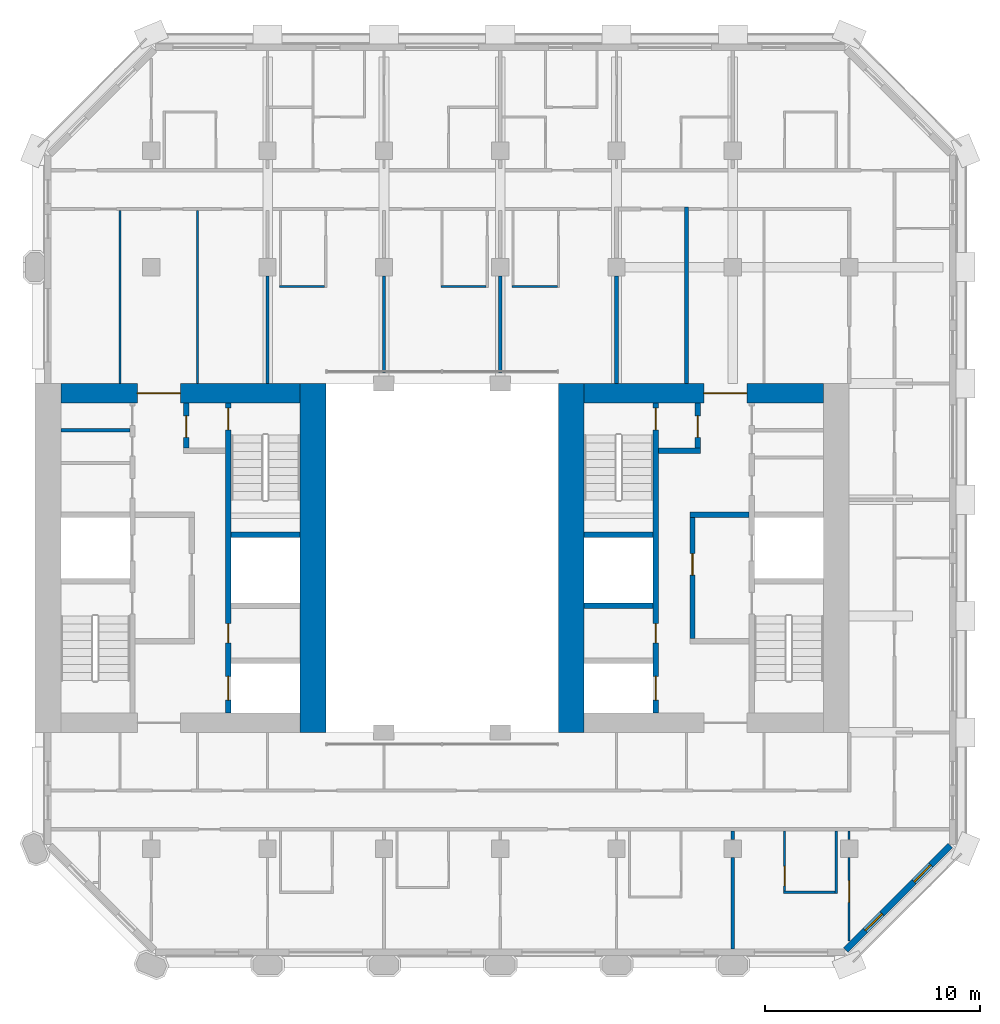
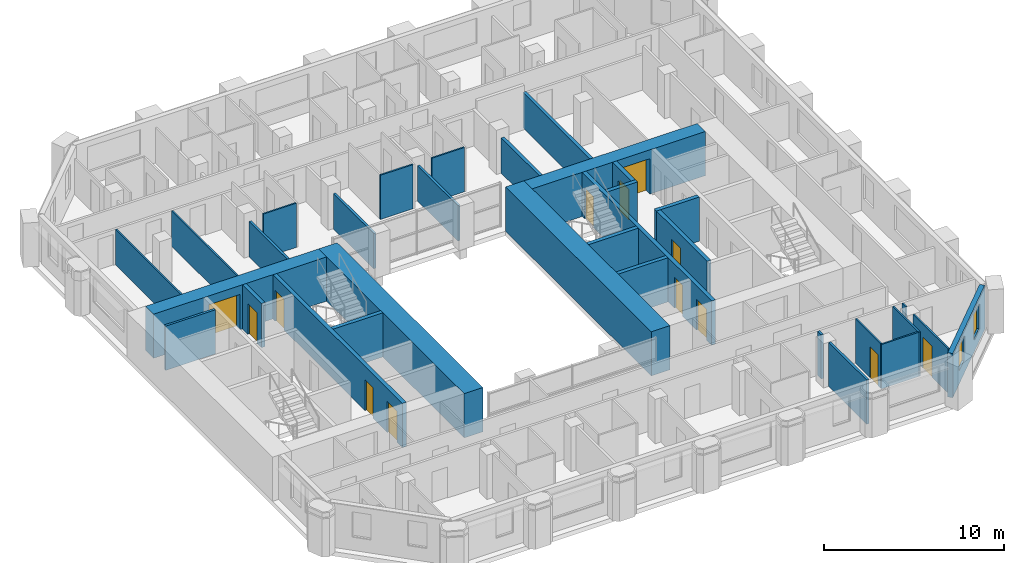
# One storey, part 6 of 13: 33 walls, 13 doors, 2 windows, 15 openings.
"""IFC4 building model written with IfcOpenShell, lengths in metres."""

from ifc_helpers import new_model, si_unit, direction, frame, frame_2d, origin, place, context, subcontext, project, spatial, rectangle, extrude, material, layer, layer_set, type_object, element, fill, save


model = new_model("IFC4")

# Units and contexts
model_context = context("Model", 3, precision=1e-05, world=origin(), true_north=direction((0.0, 1.0)))
body_context = subcontext(model_context, "Body", "Model", "MODEL_VIEW")
ifc_project = project(units=[si_unit("LENGTHUNIT", "METRE"), si_unit("AREAUNIT", "SQUARE_METRE"), si_unit("VOLUMEUNIT", "CUBIC_METRE"), si_unit("PLANEANGLEUNIT", "RADIAN"), si_unit("MASSUNIT", "GRAM", prefix="KILO")], contexts=[model_context])

# Site, building, storey
site_placement = place(None, origin())
site = spatial("IfcSite", under=ifc_project, at=site_placement, CompositionType="ELEMENT")
building_placement = place(site_placement, origin())
building = spatial("IfcBuilding", under=site, at=building_placement, Name="Tabaq Tower and Sports Hall", CompositionType="ELEMENT")
storey_placement = place(building_placement, frame((0.0, 0.0, 203.800048828125)))
storey = spatial("IfcBuildingStorey", under=building, at=storey_placement, Name="L50", CompositionType="ELEMENT", Elevation=203.800048828125)

# Walls
ifc_material_1 = material(Name="Blockwork", Category="masonry")
ifc_layer_1 = layer(ifc_material_1, 0.14990234375)
ifc_layer_set_1 = layer_set([ifc_layer_1], Name="Core room partition 150 Blockwork")
wall_type_1 = type_object("IfcWallType", Name="Core room partition 150 Blockwork", PredefinedType="PARTITIONING", material=ifc_layer_set_1)
wall_1_placement = place(storey_placement, frame((6.60009765625, 30.23193359375, 0.0), z_axis=(0.0, 0.0, 1.0), x_axis=(1.0, 0.0, 0.0)))
element("IfcWall", 1, at=wall_1_placement, inside=storey, type_object=wall_type_1, Name="Core room partition W L50", PredefinedType="PARTITIONING", context=body_context, shape_type="SweptSolid", body=[
    extrude(rectangle(XDim=3.199951171875, YDim=0.14990234375, at=frame_2d((1.60009765625, 0.0))), origin(), (0.0, 0.0, 1.0), 3.0),
])
ifc_material_2 = material(Name="Concrete C50/60", Category="concrete")
ifc_layer_2 = layer(ifc_material_2, 1.199951171875)
ifc_layer_set_2 = layer_set([ifc_layer_2], Name="Core wall 1200 Concrete C50/60")
wall_type_2 = type_object("IfcWallType", Name="Core wall 1200 Concrete C50/60", PredefinedType="SOLIDWALL", material=ifc_layer_set_2)
for number, where, z_axis, x_axis, name in (
    (2, (18.300048828125, 32.39990234375, 0.0), (0.0, 0.0, 1.0), (0.0, -1.0, 0.0), "Core wall W L50"),
    (3, (30.300048828125, 16.199951171875, 0.0), (0.0, 0.0, 1.0), (0.0, 1.0, 0.0), "Core wall E L50"),
):
    element("IfcWall", number, at=place(storey_placement, frame(where, z_axis=z_axis, x_axis=x_axis)), inside=storey, type_object=wall_type_2, Name=name, PredefinedType="SOLIDWALL", context=body_context, shape_type="SweptSolid", body=[
        extrude(rectangle(XDim=16.199951171875, YDim=1.199951171875, at=frame_2d((8.10009765625, 0.0))), origin(), (0.0, 0.0, 1.0), 3.0),
    ])

# Wall, opening, door
ifc_material_3 = material(Name="Concrete C50/60", Category="concrete")
ifc_layer_3 = layer(ifc_material_3, 0.89990234375)
ifc_layer_set_3 = layer_set([ifc_layer_3], Name="Core wall 900 Concrete C50/60")
wall_type_3 = type_object("IfcWallType", Name="Core wall 900 Concrete C50/60", PredefinedType="SOLIDWALL", material=ifc_layer_set_3)
wall_2_placement = place(storey_placement, frame((6.60009765625, 31.949951171875, 0.0), z_axis=(0.0, 0.0, 1.0), x_axis=(1.0, 0.0, 0.0)))
wall_2 = element("IfcWall", 4, at=wall_2_placement, inside=storey, type_object=wall_type_3, Name="Core wall W L50", PredefinedType="SOLIDWALL", context=body_context, shape_type="SweptSolid", body=[
    extrude(rectangle(XDim=11.099853515625, YDim=0.89990234375, at=frame_2d((5.5498046875, 0.0))), origin(), (0.0, 0.0, 1.0), 3.0),
])
opening_1_placement = place(wall_2_placement, frame((3.550048828125, 0.0, 0.0)))
opening_1 = element("IfcOpeningElement", 5, at=opening_1_placement, cuts=wall_2, Name="Opening PD-WL50-02", PredefinedType="OPENING", context=body_context, shape_type="SweptSolid", body=[
    extrude(rectangle(XDim=2.0, YDim=2.39990234375, at=frame_2d((1.0, 1.199951171875))), frame((0.0, 0.449951171875, 0.0), z_axis=(0.0, -1.0, 0.0), x_axis=(1.0, 0.0, 0.0)), (0.0, 0.0, 1.0), 0.89990234375),
])
ifc_material_4 = material(Name="Steel fire door", Category="steel")
door_type_1 = type_object("IfcDoorType", Name="Core entrance door 2000", OperationType="DOUBLE_DOOR_SINGLE_SWING", PredefinedType="DOOR", material=ifc_material_4)
door_1_placement = place(opening_1_placement, origin())
door_1 = element("IfcDoor", 6, at=door_1_placement, inside=storey, type_object=door_type_1, Name="Core entrance north W L50", OperationType="DOUBLE_DOOR_SINGLE_SWING", OverallHeight=2.39990234375, OverallWidth=2.0, PredefinedType="DOOR", context=body_context, shape_type="SweptSolid", body=[
    extrude(rectangle(XDim=2.0, YDim=2.39990234375, at=frame_2d((1.0, 1.199951171875))), frame((0.0, 0.02490234375, 0.0), z_axis=(0.0, -1.0, 0.0), x_axis=(1.0, 0.0, 0.0)), (0.0, 0.0, 1.0), 0.050048828125),
])
fill(opening_1, door_1)

wall_3_placement = place(storey_placement, frame((30.89990234375, 31.949951171875, 0.0), z_axis=(0.0, 0.0, 1.0), x_axis=(1.0, 0.0, 0.0)))
wall_3 = element("IfcWall", 7, at=wall_3_placement, inside=storey, type_object=wall_type_3, Name="Core wall E L50", PredefinedType="SOLIDWALL", context=body_context, shape_type="SweptSolid", body=[
    extrude(rectangle(XDim=11.10009765625, YDim=0.89990234375, at=frame_2d((5.550048828125, 0.0))), origin(), (0.0, 0.0, 1.0), 3.0),
])
opening_2_placement = place(wall_3_placement, frame((5.550048828125, 0.0, 0.0)))
opening_2 = element("IfcOpeningElement", 8, at=opening_2_placement, cuts=wall_3, Name="Opening PD-EL50-02", PredefinedType="OPENING", context=body_context, shape_type="SweptSolid", body=[
    extrude(rectangle(XDim=2.0, YDim=2.39990234375, at=frame_2d((1.0, 1.199951171875))), frame((0.0, 0.449951171875, 0.0), z_axis=(0.0, -1.0, 0.0), x_axis=(1.0, 0.0, 0.0)), (0.0, 0.0, 1.0), 0.89990234375),
])
door_2_placement = place(opening_2_placement, origin())
door_2 = element("IfcDoor", 9, at=door_2_placement, inside=storey, type_object=door_type_1, Name="Core entrance north E L50", OperationType="DOUBLE_DOOR_SINGLE_SWING", OverallHeight=2.39990234375, OverallWidth=2.0, PredefinedType="DOOR", context=body_context, shape_type="SweptSolid", body=[
    extrude(rectangle(XDim=2.0, YDim=2.39990234375, at=frame_2d((1.0, 1.199951171875))), frame((0.0, 0.02490234375, 0.0), z_axis=(0.0, -1.0, 0.0), x_axis=(1.0, 0.0, 0.0)), (0.0, 0.0, 1.0), 0.050048828125),
])
fill(opening_2, door_2)

# Walls
ifc_material_5 = material(Name="Blockwork", Category="masonry")
ifc_layer_4 = layer(ifc_material_5, 0.199951171875)
ifc_layer_set_4 = layer_set([ifc_layer_4], Name="Fire compartment wall 200 Blockwork")
wall_type_4 = type_object("IfcWallType", Name="Fire compartment wall 200 Blockwork", PredefinedType="PARTITIONING", material=ifc_layer_set_4)
wall_4_placement = place(storey_placement, frame((32.39990234375, 32.39990234375, 0.0), z_axis=(0.0, 0.0, 1.0), x_axis=(0.0, 1.0, 0.0)))
element("IfcWall", 10, at=wall_4_placement, inside=storey, type_object=wall_type_4, Name="Compartment wall L50", PredefinedType="PARTITIONING", context=body_context, shape_type="SweptSolid", body=[
    extrude(rectangle(XDim=4.97998046875, YDim=0.199951171875, at=frame_2d((2.489990234375, 0.0))), origin(), (0.0, 0.0, 1.0), 2.39990234375),
])
wall_5_placement = place(storey_placement, frame((35.64990234375, 40.60009765625, 0.0), z_axis=(0.0, 0.0, 1.0), x_axis=(0.0, -1.0, 0.0)))
element("IfcWall", 11, at=wall_5_placement, inside=storey, type_object=wall_type_4, Name="Compartment wall L50", PredefinedType="PARTITIONING", context=body_context, shape_type="SweptSolid", body=[
    extrude(rectangle(XDim=8.2001953125, YDim=0.199951171875, at=frame_2d((4.10009765625, 0.0))), origin(), (0.0, 0.0, 1.0), 2.39990234375),
])
ifc_material_6 = material(Name="Gypsum board on steel studs", Category="steel")
ifc_layer_5 = layer(ifc_material_6, 0.10009765625)
ifc_layer_set_5 = layer_set([ifc_layer_5], Name="Partition 100 Gypsum board")
wall_type_5 = type_object("IfcWallType", Name="Partition 100 Gypsum board", PredefinedType="PARTITIONING", material=ifc_layer_set_5)
for number, where, z_axis, x_axis, name in (
    (12, (18.85009765625, 36.89990234375, 0.0), (0.0, 0.0, 1.0), (-1.0, 0.0, 0.0), "Partition wall L50"),
    (13, (26.35009765625, 36.89990234375, 0.0), (0.0, 0.0, 1.0), (-1.0, 0.0, 0.0), "Partition wall L50"),
):
    element("IfcWall", number, at=place(storey_placement, frame(where, z_axis=z_axis, x_axis=x_axis)), inside=storey, type_object=wall_type_5, Name=name, PredefinedType="PARTITIONING", context=body_context, shape_type="SweptSolid", body=[
        extrude(rectangle(XDim=2.10009765625, YDim=0.10009765625, at=frame_2d((1.050048828125, 0.0))), origin(), (0.0, 0.0, 1.0), 3.0),
    ])
wall_6_placement = place(storey_placement, frame((29.64990234375, 36.89990234375, 0.0), z_axis=(0.0, 0.0, 1.0), x_axis=(-1.0, 0.0, 0.0)))
element("IfcWall", 14, at=wall_6_placement, inside=storey, type_object=wall_type_5, Name="Partition wall L50", PredefinedType="PARTITIONING", context=body_context, shape_type="SweptSolid", body=[
    extrude(rectangle(XDim=2.099853515625, YDim=0.10009765625, at=frame_2d((1.0498046875, 0.0))), origin(), (0.0, 0.0, 1.0), 3.0),
])
for number, where, z_axis, x_axis, name in (
    (15, (9.35009765625, 40.425048828125, 0.0), (0.0, 0.0, 1.0), (0.0, -1.0, 0.0), "Partition wall L50"),
    (16, (12.949951171875, 32.39990234375, 0.0), (0.0, 0.0, 1.0), (0.0, 1.0, 0.0), "Partition wall L50"),
):
    element("IfcWall", number, at=place(storey_placement, frame(where, z_axis=z_axis, x_axis=x_axis)), inside=storey, type_object=wall_type_5, Name=name, PredefinedType="PARTITIONING", context=body_context, shape_type="SweptSolid", body=[
        extrude(rectangle(XDim=8.025146484375, YDim=0.10009765625, at=frame_2d((4.0126953125, 0.0))), origin(), (0.0, 0.0, 1.0), 2.39990234375),
    ])

# Wall, opening, door
wall_7_placement = place(storey_placement, frame((43.199951171875, 6.51220703125, 0.0), z_axis=(0.0, 0.0, 1.0), x_axis=(0.0, 1.0, 0.0)))
wall_7 = element("IfcWall", 17, at=wall_7_placement, inside=storey, type_object=wall_type_5, Name="Partition wall L50", PredefinedType="PARTITIONING", context=body_context, shape_type="SweptSolid", body=[
    extrude(rectangle(XDim=3.86767578125, YDim=0.10009765625, at=frame_2d((1.933837890625, 0.0))), origin(), (0.0, 0.0, 1.0), 3.0),
])
opening_3_placement = place(wall_7_placement, frame((1.80029296875, 0.0, 0.0)))
opening_3 = element("IfcOpeningElement", 18, at=opening_3_placement, cuts=wall_7, Name="Opening L50-047", PredefinedType="OPENING", context=body_context, shape_type="SweptSolid", body=[
    extrude(rectangle(XDim=1.0, YDim=2.10009765625, at=frame_2d((0.5, 1.050048828125))), frame((0.0, 0.050048828125, 0.0), z_axis=(0.0, -1.0, 0.0), x_axis=(1.0, 0.0, 0.0)), (0.0, 0.0, 1.0), 0.10009765625),
])
ifc_material_7 = material(Name="Timber leaf in steel frame", Category="steel")
door_type_2 = type_object("IfcDoorType", Name="Internal door 1000 right hand", OperationType="SINGLE_SWING_RIGHT", PredefinedType="DOOR", material=ifc_material_7)
door_3_placement = place(opening_3_placement, origin())
door_3 = element("IfcDoor", 19, at=door_3_placement, inside=storey, type_object=door_type_2, Name="Internal door L50-047", OperationType="SINGLE_SWING_RIGHT", OverallHeight=2.10009765625, OverallWidth=1.0, PredefinedType="DOOR", context=body_context, shape_type="SweptSolid", body=[
    extrude(rectangle(XDim=1.0, YDim=2.10009765625, at=frame_2d((0.5, 1.050048828125))), frame((0.0, 0.02490234375, 0.0), z_axis=(0.0, -1.0, 0.0), x_axis=(1.0, 0.0, 0.0)), (0.0, 0.0, 1.0), 0.050048828125),
])
fill(opening_3, door_3)

# Walls
wall_8_placement = place(storey_placement, frame((43.199951171875, 11.219970703125, 0.0), z_axis=(0.0, 0.0, 1.0), x_axis=(0.0, 1.0, 0.0)))
element("IfcWall", 20, at=wall_8_placement, inside=storey, type_object=wall_type_5, Name="Partition wall L50", PredefinedType="PARTITIONING", context=body_context, shape_type="SweptSolid", body=[
    extrude(rectangle(XDim=0.405029296875, YDim=0.10009765625, at=frame_2d((0.20263671875, 0.0))), origin(), (0.0, 0.0, 1.0), 3.0),
])
wall_9_placement = place(storey_placement, frame((42.60009765625, 11.625, 0.0), z_axis=(0.0, 0.0, 1.0), x_axis=(0.0, -1.0, 0.0)))
element("IfcWall", 21, at=wall_9_placement, inside=storey, type_object=wall_type_5, Name="Partition wall L50", PredefinedType="PARTITIONING", context=body_context, shape_type="SweptSolid", body=[
    extrude(rectangle(XDim=2.89990234375, YDim=0.10009765625, at=frame_2d((1.449951171875, 0.0))), origin(), (0.0, 0.0, 1.0), 3.0),
])
wall_10_placement = place(storey_placement, frame((42.550048828125, 8.77490234375, 0.0), z_axis=(0.0, 0.0, 1.0), x_axis=(-1.0, 0.0, 0.0)))
element("IfcWall", 22, at=wall_10_placement, inside=storey, type_object=wall_type_5, Name="Partition wall L50", PredefinedType="PARTITIONING", context=body_context, shape_type="SweptSolid", body=[
    extrude(rectangle(XDim=2.400146484375, YDim=0.10009765625, at=frame_2d((1.2001953125, 0.0))), origin(), (0.0, 0.0, 1.0), 3.0),
])

# Wall, opening, door
wall_11_placement = place(storey_placement, frame((40.199951171875, 8.824951171875, 0.0), z_axis=(0.0, 0.0, 1.0), x_axis=(0.0, 1.0, 0.0)))
wall_11 = element("IfcWall", 23, at=wall_11_placement, inside=storey, type_object=wall_type_5, Name="Partition wall L50", PredefinedType="PARTITIONING", context=body_context, shape_type="SweptSolid", body=[
    extrude(rectangle(XDim=2.800048828125, YDim=0.10009765625, at=frame_2d((1.39990234375, 0.0))), origin(), (0.0, 0.0, 1.0), 3.0),
])
opening_4_placement = place(wall_11_placement, frame((0.25, 0.0, 0.0)))
opening_4 = element("IfcOpeningElement", 24, at=opening_4_placement, cuts=wall_11, Name="Opening L50-023", PredefinedType="OPENING", context=body_context, shape_type="SweptSolid", body=[
    extrude(rectangle(XDim=0.89990234375, YDim=2.10009765625, at=frame_2d((0.449951171875, 1.050048828125))), frame((0.0, 0.050048828125, 0.0), z_axis=(0.0, -1.0, 0.0), x_axis=(1.0, 0.0, 0.0)), (0.0, 0.0, 1.0), 0.10009765625),
])
ifc_material_8 = material(Name="Timber leaf in steel frame", Category="steel")
door_type_3 = type_object("IfcDoorType", Name="Internal door 900 right hand", OperationType="SINGLE_SWING_RIGHT", PredefinedType="DOOR", material=ifc_material_8)
door_4_placement = place(opening_4_placement, origin())
door_4 = element("IfcDoor", 25, at=door_4_placement, inside=storey, type_object=door_type_3, Name="Internal door L50-023", OperationType="SINGLE_SWING_RIGHT", OverallHeight=2.10009765625, OverallWidth=0.89990234375, PredefinedType="DOOR", context=body_context, shape_type="SweptSolid", body=[
    extrude(rectangle(XDim=0.89990234375, YDim=2.10009765625, at=frame_2d((0.449951171875, 1.050048828125))), frame((0.0, 0.02490234375, 0.0), z_axis=(0.0, -1.0, 0.0), x_axis=(1.0, 0.0, 0.0)), (0.0, 0.0, 1.0), 0.050048828125),
])
fill(opening_4, door_4)

# Walls
ifc_material_9 = material(Name="Blockwork", Category="masonry")
ifc_layer_6 = layer(ifc_material_9, 0.14990234375)
ifc_layer_set_6 = layer_set([ifc_layer_6], Name="Separating wall 150 Blockwork")
wall_type_6 = type_object("IfcWallType", Name="Separating wall 150 Blockwork", PredefinedType="PARTITIONING", material=ifc_layer_set_6)
wall_12_placement = place(storey_placement, frame((21.60009765625, 32.89501953125, 0.0), z_axis=(0.0, 0.0, 1.0), x_axis=(0.0, 1.0, 0.0)))
element("IfcWall", 26, at=wall_12_placement, inside=storey, type_object=wall_type_6, Name="Separating wall L50", PredefinedType="PARTITIONING", context=body_context, shape_type="SweptSolid", body=[
    extrude(rectangle(XDim=4.48486328125, YDim=0.14990234375, at=frame_2d((2.242431640625, 0.0))), origin(), (0.0, 0.0, 1.0), 2.39990234375),
])
wall_13_placement = place(storey_placement, frame((16.199951171875, 37.3798828125, 0.0), z_axis=(0.0, 0.0, 1.0), x_axis=(0.0, -1.0, 0.0)))
element("IfcWall", 27, at=wall_13_placement, inside=storey, type_object=wall_type_6, Name="Separating wall L50", PredefinedType="PARTITIONING", context=body_context, shape_type="SweptSolid", body=[
    extrude(rectangle(XDim=4.97998046875, YDim=0.14990234375, at=frame_2d((2.489990234375, 0.0))), origin(), (0.0, 0.0, 1.0), 2.39990234375),
])
wall_14_placement = place(storey_placement, frame((27.0, 32.89501953125, 0.0), z_axis=(0.0, 0.0, 1.0), x_axis=(0.0, 1.0, 0.0)))
element("IfcWall", 28, at=wall_14_placement, inside=storey, type_object=wall_type_6, Name="Separating wall L50", PredefinedType="PARTITIONING", context=body_context, shape_type="SweptSolid", body=[
    extrude(rectangle(XDim=4.48486328125, YDim=0.14990234375, at=frame_2d((2.242431640625, 0.0))), origin(), (0.0, 0.0, 1.0), 2.39990234375),
])
wall_15_placement = place(storey_placement, frame((37.800048828125, 6.15087890625, 0.0), z_axis=(0.0, 0.0, 1.0), x_axis=(0.0, 1.0, 0.0)))
element("IfcWall", 29, at=wall_15_placement, inside=storey, type_object=wall_type_6, Name="Separating wall L50", PredefinedType="PARTITIONING", context=body_context, shape_type="SweptSolid", body=[
    extrude(rectangle(XDim=4.22900390625, YDim=0.14990234375, at=frame_2d((2.114501953125, 0.0))), origin(), (0.0, 0.0, 1.0), 3.0),
])
wall_16_placement = place(storey_placement, frame((37.800048828125, 11.219970703125, 0.0), z_axis=(0.0, 0.0, 1.0), x_axis=(0.0, 1.0, 0.0)))
element("IfcWall", 30, at=wall_16_placement, inside=storey, type_object=wall_type_6, Name="Separating wall L50", PredefinedType="PARTITIONING", context=body_context, shape_type="SweptSolid", body=[
    extrude(rectangle(XDim=0.405029296875, YDim=0.14990234375, at=frame_2d((0.20263671875, 0.0))), origin(), (0.0, 0.0, 1.0), 3.0),
])

# Wall, openings, doors
ifc_material_10 = material(Name="Concrete C40/50", Category="concrete")
ifc_layer_7 = layer(ifc_material_10, 0.25)
ifc_layer_set_7 = layer_set([ifc_layer_7], Name="Shaft and stair wall 250 Concrete C40/50")
wall_type_7 = type_object("IfcWallType", Name="Shaft and stair wall 250 Concrete C40/50", PredefinedType="SOLIDWALL", material=ifc_layer_set_7)
wall_17_placement = place(storey_placement, frame((14.375, 17.10009765625, 0.0), z_axis=(0.0, 0.0, 1.0), x_axis=(0.0, 1.0, 0.0)))
wall_17 = element("IfcWall", 31, at=wall_17_placement, inside=storey, type_object=wall_type_7, Name="Shaft wall W L50", PredefinedType="SOLIDWALL", context=body_context, shape_type="SweptSolid", body=[
    extrude(rectangle(XDim=14.39990234375, YDim=0.25, at=frame_2d((7.199951171875, 0.0))), origin(), (0.0, 0.0, 1.0), 3.0),
])
opening_5_placement = place(wall_17_placement, frame((13.14990234375, 0.0, 0.0)))
opening_5 = element("IfcOpeningElement", 32, at=opening_5_placement, cuts=wall_17, Name="Opening SD-WL50-05", PredefinedType="OPENING", context=body_context, shape_type="SweptSolid", body=[
    extrude(rectangle(XDim=1.0, YDim=2.10009765625, at=frame_2d((0.5, 1.050048828125))), frame((0.0, 0.125, 0.0), z_axis=(0.0, -1.0, 0.0), x_axis=(1.0, 0.0, 0.0)), (0.0, 0.0, 1.0), 0.25),
])
opening_6_placement = place(wall_17_placement, frame((0.60009765625, 0.0, 0.0)))
opening_6 = element("IfcOpeningElement", 33, at=opening_6_placement, cuts=wall_17, Name="Opening LD-MR1-L50", PredefinedType="OPENING", context=body_context, shape_type="SweptSolid", body=[
    extrude(rectangle(XDim=1.10009765625, YDim=2.10009765625, at=frame_2d((0.550048828125, 1.050048828125))), frame((0.0, 0.125, 0.0), z_axis=(0.0, -1.0, 0.0), x_axis=(1.0, 0.0, 0.0)), (0.0, 0.0, 1.0), 0.25),
])
opening_7_placement = place(wall_17_placement, frame((3.25, 0.0, 0.0)))
opening_7 = element("IfcOpeningElement", 34, at=opening_7_placement, cuts=wall_17, Name="Opening RD-WL50-12", PredefinedType="OPENING", context=body_context, shape_type="SweptSolid", body=[
    extrude(rectangle(XDim=0.89990234375, YDim=2.10009765625, at=frame_2d((0.449951171875, 1.050048828125))), frame((0.0, 0.125, 0.0), z_axis=(0.0, -1.0, 0.0), x_axis=(1.0, 0.0, 0.0)), (0.0, 0.0, 1.0), 0.25),
])
ifc_material_11 = material(Name="Steel fire door", Category="steel")
door_type_4 = type_object("IfcDoorType", Name="Core room door 900", OperationType="SINGLE_SWING_LEFT", PredefinedType="DOOR", material=ifc_material_11)
door_5_placement = place(opening_7_placement, origin())
door_5 = element("IfcDoor", 35, at=door_5_placement, inside=storey, type_object=door_type_4, Name="Door Cleaner's Store W L50", OperationType="SINGLE_SWING_LEFT", OverallHeight=2.10009765625, OverallWidth=0.89990234375, PredefinedType="DOOR", context=body_context, shape_type="SweptSolid", body=[
    extrude(rectangle(XDim=0.89990234375, YDim=2.10009765625, at=frame_2d((0.449951171875, 1.050048828125))), frame((0.0, 0.02490234375, 0.0), z_axis=(0.0, -1.0, 0.0), x_axis=(1.0, 0.0, 0.0)), (0.0, 0.0, 1.0), 0.050048828125),
])
fill(opening_7, door_5)
ifc_material_12 = material(Name="Stainless steel", Category="steel")
door_type_5 = type_object("IfcDoorType", Name="Lift landing door 1100", OperationType="DOUBLE_DOOR_SLIDING", PredefinedType="DOOR", material=ifc_material_12)
door_6_placement = place(opening_6_placement, origin())
door_6 = element("IfcDoor", 36, at=door_6_placement, inside=storey, type_object=door_type_5, Name="Lift landing door MR1 W L50", OperationType="DOUBLE_DOOR_SLIDING", OverallHeight=2.10009765625, OverallWidth=1.10009765625, PredefinedType="DOOR", context=body_context, shape_type="SweptSolid", body=[
    extrude(rectangle(XDim=1.10009765625, YDim=2.10009765625, at=frame_2d((0.550048828125, 1.050048828125))), frame((0.0, 0.02490234375, 0.0), z_axis=(0.0, -1.0, 0.0), x_axis=(1.0, 0.0, 0.0)), (0.0, 0.0, 1.0), 0.050048828125),
])
fill(opening_6, door_6)
ifc_material_13 = material(Name="Steel fire door", Category="steel")
door_type_6 = type_object("IfcDoorType", Name="Stair door 1000", OperationType="SINGLE_SWING_LEFT", PredefinedType="DOOR", material=ifc_material_13)
door_7_placement = place(opening_5_placement, origin())
door_7 = element("IfcDoor", 37, at=door_7_placement, inside=storey, type_object=door_type_6, Name="Stair door ST2 W L50", OperationType="SINGLE_SWING_LEFT", OverallHeight=2.10009765625, OverallWidth=1.0, PredefinedType="DOOR", context=body_context, shape_type="SweptSolid", body=[
    extrude(rectangle(XDim=1.0, YDim=2.10009765625, at=frame_2d((0.5, 1.050048828125))), frame((0.0, 0.02490234375, 0.0), z_axis=(0.0, -1.0, 0.0), x_axis=(1.0, 0.0, 0.0)), (0.0, 0.0, 1.0), 0.050048828125),
])
fill(opening_5, door_7)

# Wall
wall_18_placement = place(storey_placement, frame((14.5, 25.375, 0.0), z_axis=(0.0, 0.0, 1.0), x_axis=(1.0, 0.0, 0.0)))
element("IfcWall", 38, at=wall_18_placement, inside=storey, type_object=wall_type_7, Name="Stair enclosure wall W L50", PredefinedType="SOLIDWALL", context=body_context, shape_type="SweptSolid", body=[
    extrude(rectangle(XDim=3.199951171875, YDim=0.25, at=frame_2d((1.60009765625, 0.0))), origin(), (0.0, 0.0, 1.0), 3.0),
])

# Wall, opening, door
wall_19_placement = place(storey_placement, frame((12.425048828125, 29.39990234375, 0.0), z_axis=(0.0, 0.0, 1.0), x_axis=(0.0, 1.0, 0.0)))
wall_19 = element("IfcWall", 39, at=wall_19_placement, inside=storey, type_object=wall_type_7, Name="Fire-fighting lobby wall W L50", PredefinedType="SOLIDWALL", context=body_context, shape_type="SweptSolid", body=[
    extrude(rectangle(XDim=2.10009765625, YDim=0.25, at=frame_2d((1.050048828125, 0.0))), origin(), (0.0, 0.0, 1.0), 3.0),
])
opening_8_placement = place(wall_19_placement, frame((0.5, 0.0, 0.0)))
opening_8 = element("IfcOpeningElement", 40, at=opening_8_placement, cuts=wall_19, Name="Opening FD-WL50-06", PredefinedType="OPENING", context=body_context, shape_type="SweptSolid", body=[
    extrude(rectangle(XDim=1.0, YDim=2.10009765625, at=frame_2d((0.5, 1.050048828125))), frame((0.0, 0.125, 0.0), z_axis=(0.0, -1.0, 0.0), x_axis=(1.0, 0.0, 0.0)), (0.0, 0.0, 1.0), 0.25),
])
ifc_material_14 = material(Name="Steel fire door", Category="steel")
door_type_7 = type_object("IfcDoorType", Name="Fire-fighting lobby door 1000", OperationType="SINGLE_SWING_LEFT", PredefinedType="DOOR", material=ifc_material_14)
door_8_placement = place(opening_8_placement, origin())
door_8 = element("IfcDoor", 41, at=door_8_placement, inside=storey, type_object=door_type_7, Name="Stair lobby door W L50", OperationType="SINGLE_SWING_LEFT", OverallHeight=2.10009765625, OverallWidth=1.0, PredefinedType="DOOR", context=body_context, shape_type="SweptSolid", body=[
    extrude(rectangle(XDim=1.0, YDim=2.10009765625, at=frame_2d((0.5, 1.050048828125))), frame((0.0, 0.02490234375, 0.0), z_axis=(0.0, -1.0, 0.0), x_axis=(1.0, 0.0, 0.0)), (0.0, 0.0, 1.0), 0.050048828125),
])
fill(opening_8, door_8)

# Wall, openings, doors
wall_20_placement = place(storey_placement, frame((34.22509765625, 17.10009765625, 0.0), z_axis=(0.0, 0.0, 1.0), x_axis=(0.0, 1.0, 0.0)))
wall_20 = element("IfcWall", 42, at=wall_20_placement, inside=storey, type_object=wall_type_7, Name="Shaft wall E L50", PredefinedType="SOLIDWALL", context=body_context, shape_type="SweptSolid", body=[
    extrude(rectangle(XDim=14.39990234375, YDim=0.25, at=frame_2d((7.199951171875, 0.0))), origin(), (0.0, 0.0, 1.0), 3.0),
])
opening_9_placement = place(wall_20_placement, frame((13.14990234375, 0.0, 0.0)))
opening_9 = element("IfcOpeningElement", 43, at=opening_9_placement, cuts=wall_20, Name="Opening SD-EL50-05", PredefinedType="OPENING", context=body_context, shape_type="SweptSolid", body=[
    extrude(rectangle(XDim=1.0, YDim=2.10009765625, at=frame_2d((0.5, 1.050048828125))), frame((0.0, 0.125, 0.0), z_axis=(0.0, -1.0, 0.0), x_axis=(1.0, 0.0, 0.0)), (0.0, 0.0, 1.0), 0.25),
])
opening_10_placement = place(wall_20_placement, frame((0.60009765625, 0.0, 0.0)))
opening_10 = element("IfcOpeningElement", 44, at=opening_10_placement, cuts=wall_20, Name="Opening LD-MR2-L50", PredefinedType="OPENING", context=body_context, shape_type="SweptSolid", body=[
    extrude(rectangle(XDim=1.10009765625, YDim=2.10009765625, at=frame_2d((0.550048828125, 1.050048828125))), frame((0.0, 0.125, 0.0), z_axis=(0.0, -1.0, 0.0), x_axis=(1.0, 0.0, 0.0)), (0.0, 0.0, 1.0), 0.25),
])
opening_11_placement = place(wall_20_placement, frame((3.25, 0.0, 0.0)))
opening_11 = element("IfcOpeningElement", 45, at=opening_11_placement, cuts=wall_20, Name="Opening RD-EL50-12", PredefinedType="OPENING", context=body_context, shape_type="SweptSolid", body=[
    extrude(rectangle(XDim=0.89990234375, YDim=2.10009765625, at=frame_2d((0.449951171875, 1.050048828125))), frame((0.0, 0.125, 0.0), z_axis=(0.0, -1.0, 0.0), x_axis=(1.0, 0.0, 0.0)), (0.0, 0.0, 1.0), 0.25),
])
door_9_placement = place(opening_11_placement, origin())
door_9 = element("IfcDoor", 46, at=door_9_placement, inside=storey, type_object=door_type_4, Name="Door Cleaner's Store E L50", OperationType="SINGLE_SWING_LEFT", OverallHeight=2.10009765625, OverallWidth=0.89990234375, PredefinedType="DOOR", context=body_context, shape_type="SweptSolid", body=[
    extrude(rectangle(XDim=0.89990234375, YDim=2.10009765625, at=frame_2d((0.449951171875, 1.050048828125))), frame((0.0, 0.02490234375, 0.0), z_axis=(0.0, -1.0, 0.0), x_axis=(1.0, 0.0, 0.0)), (0.0, 0.0, 1.0), 0.050048828125),
])
fill(opening_11, door_9)
door_10_placement = place(opening_10_placement, origin())
door_10 = element("IfcDoor", 47, at=door_10_placement, inside=storey, type_object=door_type_5, Name="Lift landing door MR2 E L50", OperationType="DOUBLE_DOOR_SLIDING", OverallHeight=2.10009765625, OverallWidth=1.10009765625, PredefinedType="DOOR", context=body_context, shape_type="SweptSolid", body=[
    extrude(rectangle(XDim=1.10009765625, YDim=2.10009765625, at=frame_2d((0.550048828125, 1.050048828125))), frame((0.0, 0.02490234375, 0.0), z_axis=(0.0, -1.0, 0.0), x_axis=(1.0, 0.0, 0.0)), (0.0, 0.0, 1.0), 0.050048828125),
])
fill(opening_10, door_10)
door_11_placement = place(opening_9_placement, origin())
door_11 = element("IfcDoor", 48, at=door_11_placement, inside=storey, type_object=door_type_6, Name="Stair door ST4 E L50", OperationType="SINGLE_SWING_LEFT", OverallHeight=2.10009765625, OverallWidth=1.0, PredefinedType="DOOR", context=body_context, shape_type="SweptSolid", body=[
    extrude(rectangle(XDim=1.0, YDim=2.10009765625, at=frame_2d((0.5, 1.050048828125))), frame((0.0, 0.02490234375, 0.0), z_axis=(0.0, -1.0, 0.0), x_axis=(1.0, 0.0, 0.0)), (0.0, 0.0, 1.0), 0.050048828125),
])
fill(opening_9, door_11)

# Walls
for number, where, z_axis, x_axis, name in (
    (49, (30.89990234375, 25.375, 0.0), (0.0, 0.0, 1.0), (1.0, 0.0, 0.0), "Stair enclosure wall E L50"),
    (50, (30.89990234375, 22.074951171875, 0.0), (0.0, 0.0, 1.0), (1.0, 0.0, 0.0), "Shaft wall E L50"),
):
    element("IfcWall", number, at=place(storey_placement, frame(where, z_axis=z_axis, x_axis=x_axis)), inside=storey, type_object=wall_type_7, Name=name, PredefinedType="SOLIDWALL", context=body_context, shape_type="SweptSolid", body=[
        extrude(rectangle(XDim=3.2001953125, YDim=0.25, at=frame_2d((1.60009765625, 0.0))), origin(), (0.0, 0.0, 1.0), 3.0),
    ])
wall_21_placement = place(storey_placement, frame((35.800048828125, 26.300048828125, 0.0), z_axis=(0.0, 0.0, 1.0), x_axis=(1.0, 0.0, 0.0)))
element("IfcWall", 51, at=wall_21_placement, inside=storey, type_object=wall_type_7, Name="Fire-fighting lobby wall E L50", PredefinedType="SOLIDWALL", context=body_context, shape_type="SweptSolid", body=[
    extrude(rectangle(XDim=2.75, YDim=0.25, at=frame_2d((1.375, 0.0))), origin(), (0.0, 0.0, 1.0), 3.0),
])

# Wall, opening, door
wall_22_placement = place(storey_placement, frame((36.175048828125, 29.39990234375, 0.0), z_axis=(0.0, 0.0, 1.0), x_axis=(0.0, 1.0, 0.0)))
wall_22 = element("IfcWall", 52, at=wall_22_placement, inside=storey, type_object=wall_type_7, Name="Fire-fighting lobby wall E L50", PredefinedType="SOLIDWALL", context=body_context, shape_type="SweptSolid", body=[
    extrude(rectangle(XDim=2.10009765625, YDim=0.25, at=frame_2d((1.050048828125, 0.0))), origin(), (0.0, 0.0, 1.0), 3.0),
])
opening_12_placement = place(wall_22_placement, frame((0.5, 0.0, 0.0)))
opening_12 = element("IfcOpeningElement", 53, at=opening_12_placement, cuts=wall_22, Name="Opening FD-EL50-06", PredefinedType="OPENING", context=body_context, shape_type="SweptSolid", body=[
    extrude(rectangle(XDim=1.0, YDim=2.10009765625, at=frame_2d((0.5, 1.050048828125))), frame((0.0, 0.125, 0.0), z_axis=(0.0, -1.0, 0.0), x_axis=(1.0, 0.0, 0.0)), (0.0, 0.0, 1.0), 0.25),
])
door_12_placement = place(opening_12_placement, origin())
door_12 = element("IfcDoor", 54, at=door_12_placement, inside=storey, type_object=door_type_7, Name="Stair lobby door E L50", OperationType="SINGLE_SWING_LEFT", OverallHeight=2.10009765625, OverallWidth=1.0, PredefinedType="DOOR", context=body_context, shape_type="SweptSolid", body=[
    extrude(rectangle(XDim=1.0, YDim=2.10009765625, at=frame_2d((0.5, 1.050048828125))), frame((0.0, 0.02490234375, 0.0), z_axis=(0.0, -1.0, 0.0), x_axis=(1.0, 0.0, 0.0)), (0.0, 0.0, 1.0), 0.050048828125),
])
fill(opening_12, door_12)

# Wall
wall_23_placement = place(storey_placement, frame((34.35009765625, 29.27490234375, 0.0), z_axis=(0.0, 0.0, 1.0), x_axis=(1.0, 0.0, 0.0)))
element("IfcWall", 55, at=wall_23_placement, inside=storey, type_object=wall_type_7, Name="Fire-fighting lobby wall E L50", PredefinedType="SOLIDWALL", context=body_context, shape_type="SweptSolid", body=[
    extrude(rectangle(XDim=1.949951171875, YDim=0.25, at=frame_2d((0.97509765625, 0.0))), origin(), (0.0, 0.0, 1.0), 3.0),
])

# Wall, opening, door
wall_24_placement = place(storey_placement, frame((35.925048828125, 20.550048828125, 0.0), z_axis=(0.0, 0.0, 1.0), x_axis=(0.0, 1.0, 0.0)))
wall_24 = element("IfcWall", 56, at=wall_24_placement, inside=storey, type_object=wall_type_7, Name="Fire-fighting lobby wall E L50", PredefinedType="SOLIDWALL", context=body_context, shape_type="SweptSolid", body=[
    extrude(rectangle(XDim=5.625, YDim=0.25, at=frame_2d((2.8125, 0.0))), origin(), (0.0, 0.0, 1.0), 3.0),
])
opening_13_placement = place(wall_24_placement, frame((2.949951171875, 0.0, 0.0)))
opening_13 = element("IfcOpeningElement", 57, at=opening_13_placement, cuts=wall_24, Name="Opening FD-EL50-04", PredefinedType="OPENING", context=body_context, shape_type="SweptSolid", body=[
    extrude(rectangle(XDim=1.0, YDim=2.10009765625, at=frame_2d((0.5, 1.050048828125))), frame((0.0, 0.125, 0.0), z_axis=(0.0, -1.0, 0.0), x_axis=(1.0, 0.0, 0.0)), (0.0, 0.0, 1.0), 0.25),
])
door_13_placement = place(opening_13_placement, origin())
door_13 = element("IfcDoor", 58, at=door_13_placement, inside=storey, type_object=door_type_7, Name="Fire-fighting lobby door E L50", OperationType="SINGLE_SWING_LEFT", OverallHeight=2.10009765625, OverallWidth=1.0, PredefinedType="DOOR", context=body_context, shape_type="SweptSolid", body=[
    extrude(rectangle(XDim=1.0, YDim=2.10009765625, at=frame_2d((0.5, 1.050048828125))), frame((0.0, 0.02490234375, 0.0), z_axis=(0.0, -1.0, 0.0), x_axis=(1.0, 0.0, 0.0)), (0.0, 0.0, 1.0), 0.050048828125),
])
fill(opening_13, door_13)

# Wall, openings, windows
ifc_material_15 = material(Name="White precast concrete C60/75", Category="concrete")
ifc_layer_8 = layer(ifc_material_15, 0.300048828125)
ifc_layer_set_8 = layer_set([ifc_layer_8], Name="White precast concrete C60/75 external wall 300")
wall_type_8 = type_object("IfcWallType", Name="White precast concrete C60/75 external wall 300", PredefinedType="SOLIDWALL", material=ifc_layer_set_8)
wall_25_placement = place(storey_placement, frame((43.050537109375, 6.098876953125, 0.0), z_axis=(0.0, 0.0, 1.0), x_axis=(0.707106781187, 0.707106781187, 0.0)))
wall_25 = element("IfcWall", 59, at=wall_25_placement, inside=storey, type_object=wall_type_8, Name="External Wall L50 SE", PredefinedType="SOLIDWALL", context=body_context, shape_type="SweptSolid", body=[
    extrude(rectangle(XDim=6.85986328125, YDim=0.300048828125, at=frame_2d((3.429931640625, 0.0))), origin(), (0.0, 0.0, 1.0), 3.0),
])
opening_14_placement = place(wall_25_placement, frame((1.27978515625, 0.0, 0.89990234375)))
opening_14 = element("IfcOpeningElement", 60, at=opening_14_placement, cuts=wall_25, Name="Opening W1B", PredefinedType="OPENING", context=body_context, shape_type="SweptSolid", body=[
    extrude(rectangle(XDim=1.10009765625, YDim=1.699951171875, at=frame_2d((0.550048828125, 0.85009765625))), frame((0.0, 0.16015625, 0.0), z_axis=(0.0, -1.0, 0.0), x_axis=(1.0, 0.0, 0.0)), (0.0, 0.0, 1.0), 0.320068359375),
])
opening_15_placement = place(wall_25_placement, frame((4.479736328125, 0.0, 0.89990234375)))
opening_15 = element("IfcOpeningElement", 61, at=opening_15_placement, cuts=wall_25, Name="Opening W1B", PredefinedType="OPENING", context=body_context, shape_type="SweptSolid", body=[
    extrude(rectangle(XDim=1.10009765625, YDim=1.699951171875, at=frame_2d((0.550048828125, 0.85009765625))), frame((0.0, 0.16015625, 0.0), z_axis=(0.0, -1.0, 0.0), x_axis=(1.0, 0.0, 0.0)), (0.0, 0.0, 1.0), 0.320068359375),
])
ifc_material_16 = material(Name="Aluminium framed clear glazing", Category="aluminium")
window_type = type_object("IfcWindowType", Name="Window W1B", PartitioningType="SINGLE_PANEL", PredefinedType="WINDOW", material=ifc_material_16)
window_1_placement = place(opening_14_placement, origin())
window_1 = element("IfcWindow", 62, at=window_1_placement, inside=storey, type_object=window_type, Name="Window W1B L50", OverallHeight=1.699951171875, OverallWidth=1.10009765625, PartitioningType="SINGLE_PANEL", PredefinedType="WINDOW", context=body_context, shape_type="SweptSolid", body=[
    extrude(rectangle(XDim=1.10009765625, YDim=1.699951171875, at=frame_2d((0.550048828125, 0.85009765625))), frame((0.0, 0.030029296875, 0.0), z_axis=(0.0, -1.0, 0.0), x_axis=(1.0, 0.0, 0.0)), (0.0, 0.0, 1.0), 0.06005859375),
])
fill(opening_14, window_1)
window_2_placement = place(opening_15_placement, origin())
window_2 = element("IfcWindow", 63, at=window_2_placement, inside=storey, type_object=window_type, Name="Window W1B L50", OverallHeight=1.699951171875, OverallWidth=1.10009765625, PartitioningType="SINGLE_PANEL", PredefinedType="WINDOW", context=body_context, shape_type="SweptSolid", body=[
    extrude(rectangle(XDim=1.10009765625, YDim=1.699951171875, at=frame_2d((0.550048828125, 0.85009765625))), frame((0.0, 0.030029296875, 0.0), z_axis=(0.0, -1.0, 0.0), x_axis=(1.0, 0.0, 0.0)), (0.0, 0.0, 1.0), 0.06005859375),
])
fill(opening_15, window_2)

save(model, "model.ifc")
